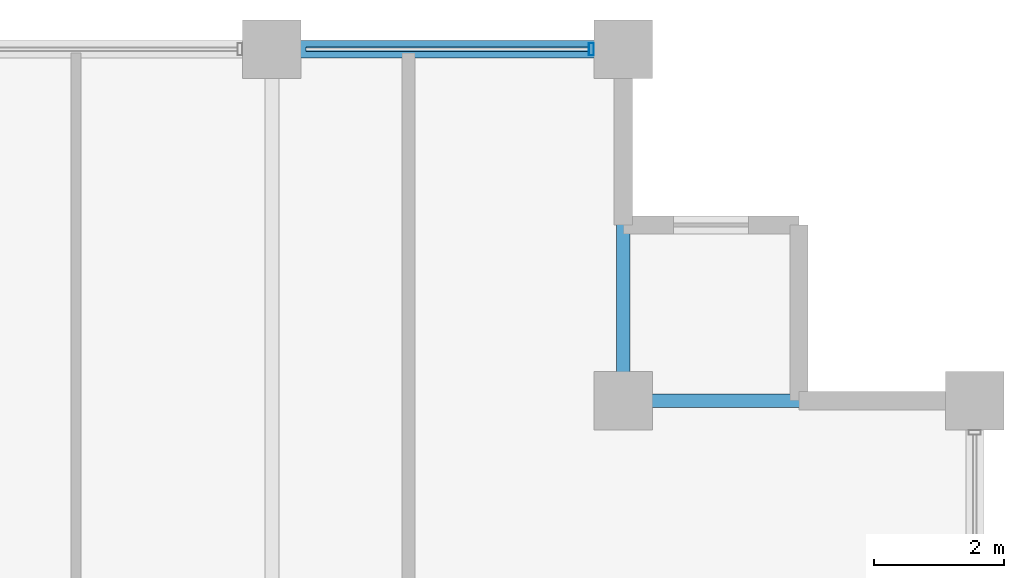
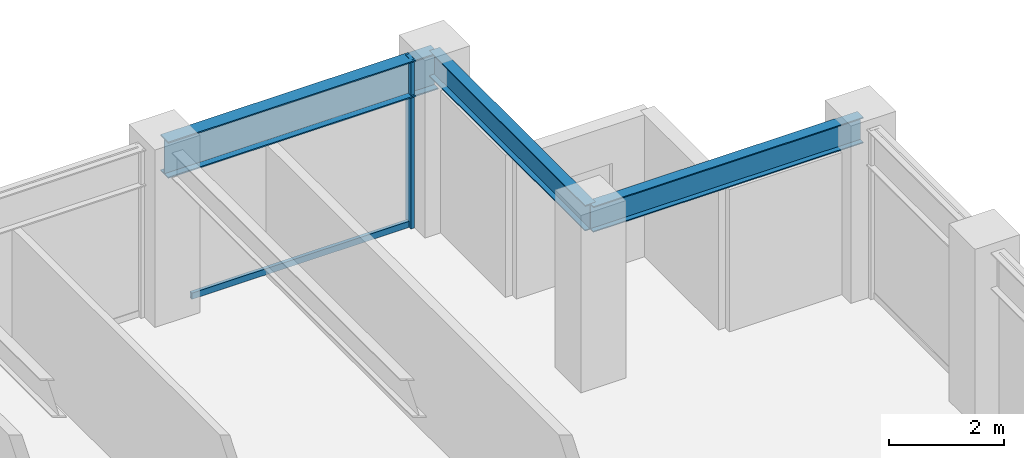
# One storey, part 24 of 32: 3 beams, 2 members, 1 element without a shape of its own.
"""IFC4 building model written with IfcOpenShell, lengths in metres."""

from ifc_helpers import new_model, si_unit, direction, frame, origin, origin_2d, place, context, subcontext, project, spatial, hollow_rectangle, i_section, extrude, material, layer, layer_set, material_profile, profile_set, type_object, element, aggregate, save


model = new_model("IFC4")

# Units and contexts
model_context = context("Model", 3, precision=1e-05, world=origin(), true_north=direction((0.0, 1.0)))
body_context = subcontext(model_context, "Body", "Model", "MODEL_VIEW")
ifc_project = project(units=[si_unit("LENGTHUNIT", "METRE"), si_unit("AREAUNIT", "SQUARE_METRE"), si_unit("VOLUMEUNIT", "CUBIC_METRE"), si_unit("PLANEANGLEUNIT", "RADIAN"), si_unit("MASSUNIT", "GRAM", prefix="KILO")], contexts=[model_context])

# Site, building, storey
site_placement = place(None, origin())
site = spatial("IfcSite", under=ifc_project, at=site_placement, CompositionType="ELEMENT")
building_placement = place(site_placement, origin())
building = spatial("IfcBuilding", under=site, at=building_placement, Name="Surkhivell Harbour Commons", CompositionType="ELEMENT")
storey_placement = place(building_placement, frame((0.0, 0.0, 201.0)))
storey = spatial("IfcBuildingStorey", under=building, at=storey_placement, Name="L52", CompositionType="ELEMENT", Elevation=201.0)

# Beams
ifc_material_1 = material(Name="Steel S355", Category="steel")
ifc_material_profile_1 = material_profile(ifc_material_1, i_section(OverallWidth=0.2119140625, OverallDepth=0.5439453125, WebThickness=0.0126953125, FlangeThickness=0.021240234375, at=origin_2d()), Name="UB533x210x122")
ifc_profile_set_1 = profile_set([ifc_material_profile_1], Name="Steel S355")
beam_type_1 = type_object("IfcBeamType", Name="BM-GRD-533A", PredefinedType="BEAM", material=ifc_profile_set_1)
beam_1_placement = place(storey_placement, frame((16.199951171875, 20.5, 3.298095703125), z_axis=(0.0, 1.0, 0.0), x_axis=(-1.0, 0.0, 0.0)))
element("IfcBeam", 1, at=beam_1_placement, inside=storey, type_object=beam_type_1, Name="L52 Floor Girder (16.2,20.5)", PredefinedType="BEAM", context=body_context, shape_type="SweptSolid", body=[
    extrude(i_section(OverallWidth=0.2119140625, OverallDepth=0.5439453125, WebThickness=0.0126953125, FlangeThickness=0.021240234375, at=origin_2d()), origin(), (0.0, 0.0, 1.0), 5.39990234375),
])
beam_2_placement = place(storey_placement, frame((16.199951171875, 20.5, 3.298095703125), z_axis=(1.0, 0.0, 0.0), x_axis=(0.0, 1.0, 0.0)))
element("IfcBeam", 2, at=beam_2_placement, inside=storey, type_object=beam_type_1, Name="L52 Floor Girder (16.2,20.5)", PredefinedType="BEAM", context=body_context, shape_type="SweptSolid", body=[
    extrude(i_section(OverallWidth=0.2119140625, OverallDepth=0.5439453125, WebThickness=0.0126953125, FlangeThickness=0.021240234375, at=origin_2d()), origin(), (0.0, 0.0, 1.0), 5.400146484375),
])
ifc_material_profile_2 = material_profile(ifc_material_1, i_section(OverallWidth=0.26806640625, OverallDepth=0.77001953125, WebThickness=0.015625, FlangeThickness=0.025390625, at=origin_2d()), Name="UB762x267x197")
ifc_profile_set_2 = profile_set([ifc_material_profile_2], Name="Steel S355")
beam_type_2 = type_object("IfcBeamType", Name="BM-SPN-762", PredefinedType="SPANDREL", material=ifc_profile_set_2)
beam_3_placement = place(storey_placement, frame((10.800048828125, 25.89990234375, 3.18505859375), z_axis=(1.0, 0.0, 0.0), x_axis=(0.0, 1.0, 0.0)))
element("IfcBeam", 3, at=beam_3_placement, inside=storey, type_object=beam_type_2, Name="L52 Tube Spandrel (10.8,25.9)", PredefinedType="SPANDREL", context=body_context, shape_type="SweptSolid", body=[
    extrude(i_section(OverallWidth=0.26806640625, OverallDepth=0.77001953125, WebThickness=0.015625, FlangeThickness=0.025390625, at=origin_2d()), origin(), (0.0, 0.0, 1.0), 5.39990234375),
])

# Curtain wall, members
ifc_material_2 = material(Name="Anodised pale-metal aluminium and insulated glazing", Category="aluminium")
ifc_layer = layer(ifc_material_2, 0.18994140625)
ifc_layer_set = layer_set([ifc_layer], Name="Anodised pale-metal aluminium and insulated glazing")
curtain_wall_type = type_object("IfcCurtainWallType", Name="CW-SYS-Z3", PredefinedType="NOTDEFINED", material=ifc_layer_set)
curtain_wall_placement = place(storey_placement, origin())
curtain_wall = element("IfcCurtainWall", 4, at=curtain_wall_placement, inside=storey, type_object=curtain_wall_type, Name="L52 Curtain Wall CW-L52-E07S1", PredefinedType="NOTDEFINED")
ifc_material_3 = material(Name="Anodised pale-metal aluminium alloy 6063-T6", Category="aluminium")
ifc_material_profile_3 = material_profile(ifc_material_3, hollow_rectangle(XDim=0.074951171875, YDim=0.18994140625, WallThickness=0.00390625, at=origin_2d()), Name="ALU-MULL-75x190")
ifc_profile_set_3 = profile_set([ifc_material_profile_3], Name="Anodised pale-metal aluminium alloy 6063-T6")
member_type_1 = type_object("IfcMemberType", Name="CWM-190", PredefinedType="MULLION", material=ifc_profile_set_3)
member_1_placement = place(storey_placement, frame((15.71044921875, 25.89990234375, 0.0), z_axis=(0.0, 0.0, 1.0), x_axis=(-1.0, 0.0, 0.0)))
member_1 = element("IfcMember", 5, at=member_1_placement, type_object=member_type_1, Name="CW-Z3 mullion 1", PredefinedType="MULLION", context=body_context, shape_type="SweptSolid", body=[
    extrude(hollow_rectangle(XDim=0.074951171875, YDim=0.18994140625, WallThickness=0.00390625, at=origin_2d()), origin(), (0.0, 0.0, 1.0), 3.570068359375),
])
ifc_material_4 = material(Name="Champagne anodised aluminium alloy 6063-T6", Category="aluminium")
ifc_material_profile_4 = material_profile(ifc_material_4, hollow_rectangle(XDim=0.070068359375, YDim=0.1298828125, WallThickness=0.00341796875, at=origin_2d()), Name="ALU-TRAN-70x130")
ifc_profile_set_4 = profile_set([ifc_material_profile_4], Name="Champagne anodised aluminium alloy 6063-T6")
member_type_2 = type_object("IfcMemberType", Name="CWT-130", PredefinedType="USERDEFINED", material=ifc_profile_set_4)
member_2_placement = place(storey_placement, frame((15.673095703125, 25.89990234375, 0.06494140625), z_axis=(-1.0, 0.0, 0.0), x_axis=(0.0, -1.0, 0.0)))
member_2 = element("IfcMember", 6, at=member_2_placement, type_object=member_type_2, Name="CW-Z3 transom 1.1", ObjectType="TRANSOM", PredefinedType="USERDEFINED", context=body_context, shape_type="SweptSolid", body=[
    extrude(hollow_rectangle(XDim=0.070068359375, YDim=0.1298828125, WallThickness=0.00341796875, at=origin_2d()), origin(), (0.0, 0.0, 1.0), 4.34619140625),
])
aggregate(curtain_wall, [member_1, member_2])

save(model, "model.ifc")
